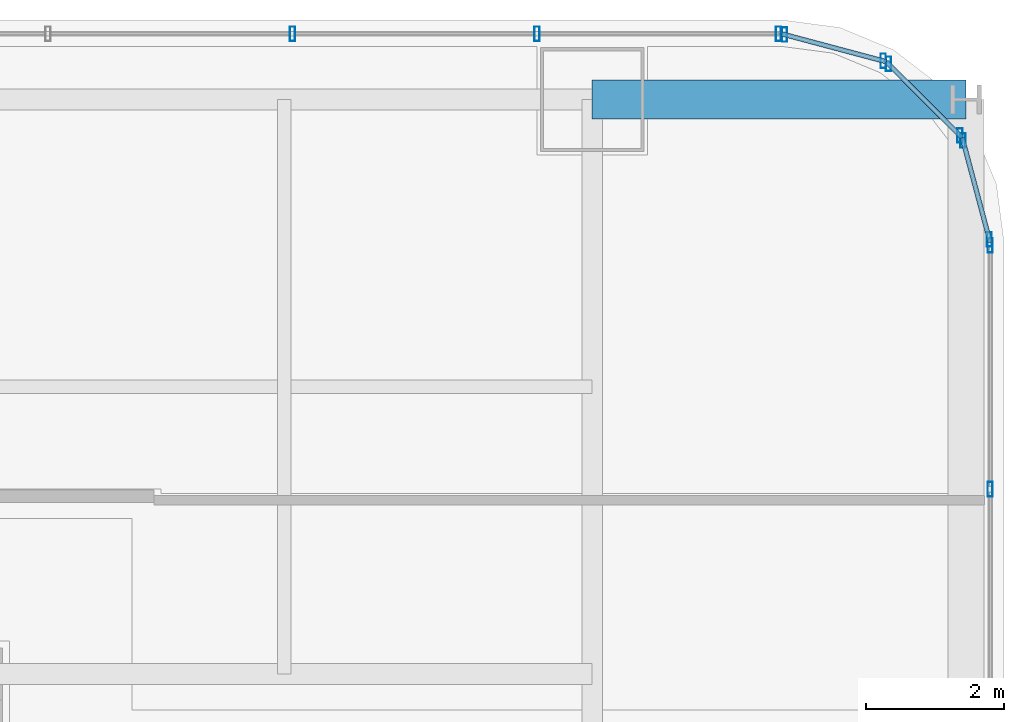
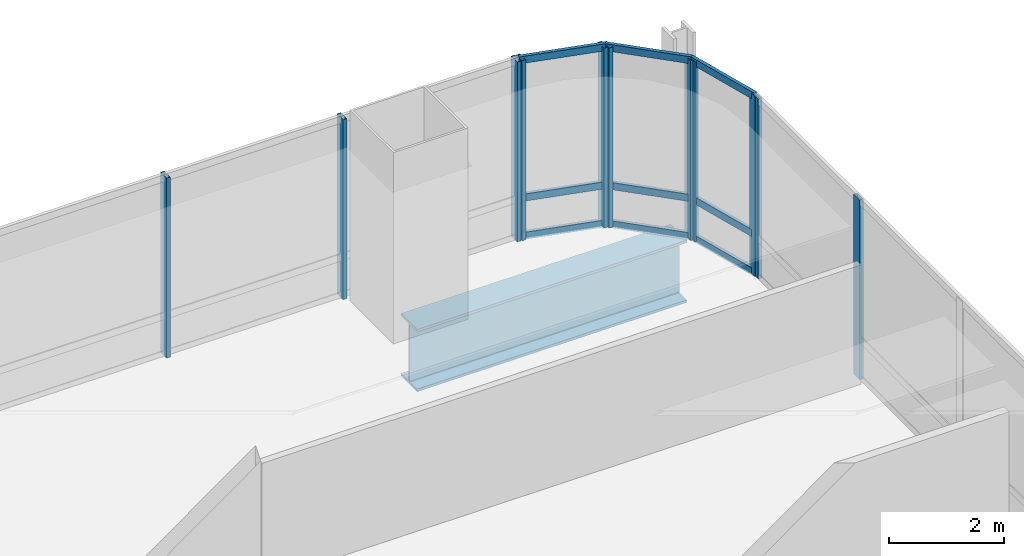
# One storey, part 24 of 35: 20 members, 1 beam, 5 elements without a shape of their own.
"""IFC4 building model written with IfcOpenShell, lengths in metres."""

import ifcopenshell
import ifcopenshell.guid

model = None  # the IFC model being written
_history = None  # IfcOwnerHistory: only IFC2X3 demands one
_inside = {}  # id of a spatial element -> (the spatial element, [elements in it])
_under = {}  # id of a project, library or spatial element -> (it, [spatial elements below it])
_declared = {}  # id of a project -> (the project, [libraries it declares])
_typed = {}  # id of a type object -> (the type object, [elements of that type])
_made_of = {}  # id of a material, layer set ... -> (it, [elements and type objects made of it])


def new_model(schema):
    """Start an empty IFC model of exactly this schema.

    Asked for "IFC4X3", IfcOpenShell would pick the latest addendum, in which some entities
    have other attributes; the version numbers below select the first issue.
    IFC2X3 requires an IfcOwnerHistory on every rooted entity: one is made here for all.
    """
    global model, _history
    if schema == "IFC4X3":
        model = ifcopenshell.file(schema_version=(4, 3, 0, 0))
    else:
        model = ifcopenshell.file(schema=schema)
    _inside.clear()
    _under.clear()
    _declared.clear()
    _typed.clear()
    _made_of.clear()
    _history = None
    if model.schema == "IFC2X3":
        org = make("IfcOrganization", Name="unknown")
        user = make(
            "IfcPersonAndOrganization",
            ThePerson=make("IfcPerson", FamilyName="unknown"),
            TheOrganization=org,
        )
        app = make(
            "IfcApplication",
            ApplicationDeveloper=org,
            Version="unknown",
            ApplicationFullName="unknown",
            ApplicationIdentifier="unknown",
        )
        _history = make(
            "IfcOwnerHistory",
            OwningUser=user,
            OwningApplication=app,
            ChangeAction="ADDED",
            CreationDate=0,
        )
    return model


def make(cls, **values):
    """One entity of the class cls with the attributes given. An attribute that is None is left unset."""
    return model.create_entity(
        cls, **{name: value for name, value in values.items() if value is not None}
    )


def rooted(cls, **values):
    """An entity with a GlobalId (a new one), such as an element, a storey or a relation."""
    return make(cls, GlobalId=ifcopenshell.guid.new(), OwnerHistory=_history, **values)


def si_unit(unit_type, name, prefix=None):
    """IfcSIUnit, for example si_unit("LENGTHUNIT", "METRE", prefix="MILLI")."""
    return make("IfcSIUnit", UnitType=unit_type, Prefix=prefix, Name=name)


def assignment(units):
    """IfcUnitAssignment: the units of a project."""
    return None if units is None else make("IfcUnitAssignment", Units=units)


def point(xyz):
    """IfcCartesianPoint."""
    return None if xyz is None else make("IfcCartesianPoint", Coordinates=xyz)


def direction(xyz):
    """IfcDirection."""
    return None if xyz is None else make("IfcDirection", DirectionRatios=xyz)


def frame(location, z_axis=None, x_axis=None):
    """IfcAxis2Placement3D, a coordinate frame: its origin and axes. An axis left out is left unset."""
    return make(
        "IfcAxis2Placement3D",
        Location=point(location),
        Axis=direction(z_axis),
        RefDirection=direction(x_axis),
    )


def frame_2d(location, x_axis=None):
    """IfcAxis2Placement2D, a coordinate frame in the plane: its origin and x axis."""
    return make(
        "IfcAxis2Placement2D", Location=point(location), RefDirection=direction(x_axis)
    )


def origin():
    """The frame at (0, 0, 0) with its axes left unset."""
    return frame((0.0, 0.0, 0.0))


def origin_2d():
    """The frame at (0, 0) in the plane with its x axis left unset."""
    return frame_2d((0.0, 0.0))


def place(relative_to, where):
    """IfcLocalPlacement: puts the frame where relative to a parent placement (None: the world)."""
    return make(
        "IfcLocalPlacement", PlacementRelTo=relative_to, RelativePlacement=where
    )


def context(
    kind, dimensions, precision=None, world=None, true_north=None, identifier=None
):
    """IfcGeometricRepresentationContext, for example the 3D "Model" context."""
    return make(
        "IfcGeometricRepresentationContext",
        ContextIdentifier=identifier,
        ContextType=kind,
        CoordinateSpaceDimension=dimensions,
        Precision=precision,
        WorldCoordinateSystem=world,
        TrueNorth=true_north,
    )


def subcontext(parent, identifier, kind, view, scale=None):
    """IfcGeometricRepresentationSubContext, for example "Body" below "Model"."""
    return make(
        "IfcGeometricRepresentationSubContext",
        ContextIdentifier=identifier,
        ContextType=kind,
        ParentContext=parent,
        TargetScale=scale,
        TargetView=view,
    )


def project(units=None, contexts=None):
    """IfcProject with its units and contexts."""
    return rooted(
        "IfcProject",
        Name="project",
        RepresentationContexts=contexts,
        UnitsInContext=assignment(units),
    )


def spatial(cls, under=None, at=None, **own):
    """A site, building, storey or space (cls), placed at a placement, below another one or the project."""
    s = rooted(cls, ObjectPlacement=at, **own)
    if under is not None:
        _under.setdefault(under.id(), (under, []))[1].append(s)
    return s


def profile(cls, at=None, kind="AREA", **sizes):
    """A parametric profile (cls). Its sizes go by their IFC names, for example OverallWidth=200.0."""
    return make(cls, ProfileType=kind, Position=at, **sizes)


def hollow_rectangle(**sizes):
    """IfcRectangleHollowProfileDef."""
    return profile("IfcRectangleHollowProfileDef", **sizes)


def i_section(**sizes):
    """IfcIShapeProfileDef."""
    return profile("IfcIShapeProfileDef", **sizes)


def extrude(swept, where, along, depth):
    """IfcExtrudedAreaSolid: the profile swept, set in the frame where, extruded along a direction by depth."""
    return make(
        "IfcExtrudedAreaSolid",
        SweptArea=swept,
        Position=where,
        ExtrudedDirection=direction(along),
        Depth=depth,
    )


def shape(context_of_items, identifier, shape_type, items):
    """IfcShapeRepresentation: the items that make up one representation, for example the "Body"."""
    return make(
        "IfcShapeRepresentation",
        ContextOfItems=context_of_items,
        RepresentationIdentifier=identifier,
        RepresentationType=shape_type,
        Items=items,
    )


def material(Name=None, Category=None):
    """IfcMaterial."""
    return make("IfcMaterial", Name=Name, Category=Category)


def material_profile(
    of_material, cross_section, Name=None, Category=None, Priority=None
):
    """IfcMaterialProfile: a cross section and its material."""
    return make(
        "IfcMaterialProfile",
        Name=Name,
        Material=of_material,
        Profile=cross_section,
        Priority=Priority,
        Category=Category,
    )


def profile_set(profiles, Name=None, composite=None):
    """IfcMaterialProfileSet."""
    return make(
        "IfcMaterialProfileSet",
        Name=Name,
        MaterialProfiles=profiles,
        CompositeProfile=composite,
    )


def made_of(thing, what):
    """Note that an element or type object is made of a material, layer set ...; save() writes the relation."""
    if what is not None:
        _made_of.setdefault(what.id(), (what, []))[1].append(thing)
    return thing


def type_object(cls, material=None, **own):
    """A type object (cls), such as IfcWallType, which elements share."""
    return made_of(rooted(cls, **own), material)


def element(
    cls,
    number,
    at=None,
    inside=None,
    cuts=None,
    type_object=None,
    material=None,
    context=None,
    identifier="Body",
    shape_type=None,
    held_by="IfcProductDefinitionShape",
    body=None,
    shapes=None,
    **own,
):
    """One element of the class cls, such as IfcWall. Its Tag is "e" and its number.

    at: its placement. inside: the storey or other place that contains it. cuts: it is an
    opening in that element (IfcRelVoidsElement). A single representation is given by context,
    identifier, shape_type and body (its items); several are given by shapes. held_by: the class
    of the entity that holds the representations. save() writes the other relations.
    """
    e = rooted(cls, Tag="e%d" % number, ObjectPlacement=at, **own)
    if body is not None:
        shapes = [shape(context, identifier, shape_type, body)]
    if shapes is not None:
        e.Representation = make(held_by, Representations=shapes)
    if inside is not None:
        _inside.setdefault(inside.id(), (inside, []))[1].append(e)
    if cuts is not None:
        rooted(
            "IfcRelVoidsElement", RelatingBuildingElement=cuts, RelatedOpeningElement=e
        )
    if type_object is not None:
        _typed.setdefault(type_object.id(), (type_object, []))[1].append(e)
    return made_of(e, material)


def aggregate(whole, parts):
    """IfcRelAggregates: a whole, such as a stair, and the parts it consists of."""
    return rooted("IfcRelAggregates", RelatingObject=whole, RelatedObjects=parts)


def save(model, path):
    """Write the relations noted so far, then the file.

    IfcRelAggregates (storeys below a building ...), IfcRelContainedInSpatialStructure (elements
    in a storey), IfcRelDefinesByType, IfcRelAssociatesMaterial and IfcRelDeclares: one each for
    every whole, place, type object, material and project.
    """
    for whole, parts in _under.values():
        aggregate(whole, parts)
    for where, things in _inside.values():
        rooted(
            "IfcRelContainedInSpatialStructure",
            RelatedElements=things,
            RelatingStructure=where,
        )
    for kind, things in _typed.values():
        rooted("IfcRelDefinesByType", RelatedObjects=things, RelatingType=kind)
    for what, things in _made_of.values():
        rooted("IfcRelAssociatesMaterial", RelatedObjects=things, RelatingMaterial=what)
    for by, libraries in _declared.values():
        rooted("IfcRelDeclares", RelatingContext=by, RelatedDefinitions=libraries)
    model.write(path)


model = new_model("IFC4")

# Units and contexts
model_context = context("Model", 3, precision=1e-05, world=origin(), true_north=direction((0.0, 1.0)))
body_context = subcontext(model_context, "Body", "Model", "MODEL_VIEW")
ifc_project = project(units=[si_unit("LENGTHUNIT", "METRE"), si_unit("AREAUNIT", "SQUARE_METRE"), si_unit("VOLUMEUNIT", "CUBIC_METRE"), si_unit("PLANEANGLEUNIT", "RADIAN"), si_unit("MASSUNIT", "GRAM", prefix="KILO")], contexts=[model_context])

# Site, building, storey
site_placement = place(None, origin())
site = spatial("IfcSite", under=ifc_project, at=site_placement, CompositionType="ELEMENT")
building_placement = place(site_placement, origin())
building = spatial("IfcBuilding", under=site, at=building_placement, Name="Punatoya Terracotta Tower", CompositionType="ELEMENT")
storey_placement = place(building_placement, frame((0.0, 0.0, 64.64990234375)))
storey = spatial("IfcBuildingStorey", under=building, at=storey_placement, Name="L14", CompositionType="ELEMENT", Elevation=64.64990234375)

# Beam
ifc_material_1 = material(Name="Steel S460", Category="steel")
ifc_material_profile_1 = material_profile(ifc_material_1, i_section(OverallWidth=0.56005859375, OverallDepth=1.320068359375, WebThickness=0.035888671875, FlangeThickness=0.054931640625, FilletRadius=0.01806640625, at=origin_2d()))
ifc_profile_set_1 = profile_set([ifc_material_profile_1], Name="Steel S460")
beam_type = type_object("IfcBeamType", Name="BM-TG-BLK", PredefinedType="BEAM", material=ifc_profile_set_1)
beam_placement = place(storey_placement, frame((19.10009765625, 17.5, -0.89990234375), z_axis=(1.0, 0.0, 0.0), x_axis=(0.0, 1.0, 0.0)))
element("IfcBeam", 1, at=beam_placement, inside=storey, type_object=beam_type, Name="BM-L14-CANT-E4", PredefinedType="BEAM", context=body_context, shape_type="SweptSolid", body=[
    extrude(i_section(OverallWidth=0.56005859375, OverallDepth=1.320068359375, WebThickness=0.035888671875, FlangeThickness=0.054931640625, FilletRadius=0.01806640625, at=origin_2d()), origin(), (0.0, 0.0, 1.0), 5.39990234375),
])

# Curtain wall, members
ifc_material_2 = material(Name="Aluminium 6063-T6 + Double Low-E Glass", Category="aluminium")
curtain_wall_type = type_object("IfcCurtainWallType", Name="CW-M1", PredefinedType="NOTDEFINED", material=ifc_material_2)
curtain_wall_1_placement = place(storey_placement, origin())
curtain_wall_1 = element("IfcCurtainWall", 2, at=curtain_wall_1_placement, inside=storey, type_object=curtain_wall_type, Name="L14 Curtain Wall CW-L14-E05-1", PredefinedType="NOTDEFINED")
ifc_material_3 = material(Name="Aluminium 6063-T6", Category="aluminium")
ifc_material_profile_2 = material_profile(ifc_material_3, hollow_rectangle(XDim=0.074951171875, YDim=0.2099609375, WallThickness=0.00439453125, at=origin_2d()))
ifc_profile_set_2 = profile_set([ifc_material_profile_2], Name="Aluminium 6063-T6")
member_type_1 = type_object("IfcMemberType", Name="CW-MUL-M1", PredefinedType="MULLION", material=ifc_profile_set_2)
member_1_placement = place(storey_placement, frame((24.85009765625, 11.869384765625, 0.0), z_axis=(0.0, 0.0, 1.0), x_axis=(1.0, 0.0, 0.0)))
member_1 = element("IfcMember", 3, at=member_1_placement, type_object=member_type_1, Name="CW-L14-E05-1 Mullion 09", PredefinedType="MULLION", context=body_context, shape_type="SweptSolid", body=[
    extrude(hollow_rectangle(XDim=0.074951171875, YDim=0.2099609375, WallThickness=0.00439453125, at=origin_2d()), origin(), (0.0, 0.0, 1.0), 3.81005859375),
])
member_2_placement = place(storey_placement, frame((24.85009765625, 15.391845703125, 0.0), z_axis=(0.0, 0.0, 1.0), x_axis=(1.0, 0.0, 0.0)))
member_2 = element("IfcMember", 4, at=member_2_placement, type_object=member_type_1, Name="CW-L14-E05-1 Mullion 10", PredefinedType="MULLION", context=body_context, shape_type="SweptSolid", body=[
    extrude(hollow_rectangle(XDim=0.074951171875, YDim=0.2099609375, WallThickness=0.00439453125, at=origin_2d()), origin(), (0.0, 0.0, 1.0), 3.81005859375),
])
aggregate(curtain_wall_1, [member_1, member_2])

curtain_wall_2_placement = place(storey_placement, origin())
curtain_wall_2 = element("IfcCurtainWall", 5, at=curtain_wall_2_placement, inside=storey, type_object=curtain_wall_type, Name="L14 Curtain Wall CW-L14-CRN06", PredefinedType="NOTDEFINED")
member_3_placement = place(storey_placement, frame((24.83837890625, 15.48046875, 0.0), z_axis=(0.0, 0.0, 1.0), x_axis=(1.0, 0.0, 0.0)))
member_3 = element("IfcMember", 6, at=member_3_placement, type_object=member_type_1, Name="CW-L14-CRN06 Mullion 00", PredefinedType="MULLION", context=body_context, shape_type="SweptSolid", body=[
    extrude(hollow_rectangle(XDim=0.074951171875, YDim=0.2099609375, WallThickness=0.00439453125, at=origin_2d()), origin(), (0.0, 0.0, 1.0), 3.81005859375),
])
member_4_placement = place(storey_placement, frame((24.458251953125, 16.905517578125, 0.0), z_axis=(0.0, 0.0, 1.0), x_axis=(1.0, 0.0, 0.0)))
member_4 = element("IfcMember", 7, at=member_4_placement, type_object=member_type_1, Name="CW-L14-CRN06 Mullion 01", PredefinedType="MULLION", context=body_context, shape_type="SweptSolid", body=[
    extrude(hollow_rectangle(XDim=0.074951171875, YDim=0.2099609375, WallThickness=0.00439453125, at=origin_2d()), origin(), (0.0, 0.0, 1.0), 3.81005859375),
])

curtain_wall_3_placement = place(storey_placement, origin())
curtain_wall_3 = element("IfcCurtainWall", 8, at=curtain_wall_3_placement, inside=storey, type_object=curtain_wall_type, Name="L14 Curtain Wall CW-L14-CRN07", PredefinedType="NOTDEFINED")
member_5_placement = place(storey_placement, frame((24.414794921875, 16.98095703125, 0.0), z_axis=(0.0, 0.0, 1.0), x_axis=(1.0, 0.0, 0.0)))
member_5 = element("IfcMember", 9, at=member_5_placement, type_object=member_type_1, Name="CW-L14-CRN07 Mullion 00", PredefinedType="MULLION", context=body_context, shape_type="SweptSolid", body=[
    extrude(hollow_rectangle(XDim=0.074951171875, YDim=0.2099609375, WallThickness=0.00439453125, at=origin_2d()), origin(), (0.0, 0.0, 1.0), 3.81005859375),
])
member_6_placement = place(storey_placement, frame((23.380859375, 18.014892578125, 0.0), z_axis=(0.0, 0.0, 1.0), x_axis=(1.0, 0.0, 0.0)))
member_6 = element("IfcMember", 10, at=member_6_placement, type_object=member_type_1, Name="CW-L14-CRN07 Mullion 01", PredefinedType="MULLION", context=body_context, shape_type="SweptSolid", body=[
    extrude(hollow_rectangle(XDim=0.074951171875, YDim=0.2099609375, WallThickness=0.00439453125, at=origin_2d()), origin(), (0.0, 0.0, 1.0), 3.81005859375),
])

curtain_wall_4_placement = place(storey_placement, origin())
curtain_wall_4 = element("IfcCurtainWall", 11, at=curtain_wall_4_placement, inside=storey, type_object=curtain_wall_type, Name="L14 Curtain Wall CW-L14-CRN08", PredefinedType="NOTDEFINED")
member_7_placement = place(storey_placement, frame((23.3056640625, 18.05810546875, 0.0), z_axis=(0.0, 0.0, 1.0), x_axis=(1.0, 0.0, 0.0)))
member_7 = element("IfcMember", 12, at=member_7_placement, type_object=member_type_1, Name="CW-L14-CRN08 Mullion 00", PredefinedType="MULLION", context=body_context, shape_type="SweptSolid", body=[
    extrude(hollow_rectangle(XDim=0.074951171875, YDim=0.2099609375, WallThickness=0.00439453125, at=origin_2d()), origin(), (0.0, 0.0, 1.0), 3.81005859375),
])
member_8_placement = place(storey_placement, frame((21.88037109375, 18.4384765625, 0.0), z_axis=(0.0, 0.0, 1.0), x_axis=(1.0, 0.0, 0.0)))
member_8 = element("IfcMember", 13, at=member_8_placement, type_object=member_type_1, Name="CW-L14-CRN08 Mullion 01", PredefinedType="MULLION", context=body_context, shape_type="SweptSolid", body=[
    extrude(hollow_rectangle(XDim=0.074951171875, YDim=0.2099609375, WallThickness=0.00439453125, at=origin_2d()), origin(), (0.0, 0.0, 1.0), 3.81005859375),
])

curtain_wall_5_placement = place(storey_placement, origin())
curtain_wall_5 = element("IfcCurtainWall", 14, at=curtain_wall_5_placement, inside=storey, type_object=curtain_wall_type, Name="L14 Curtain Wall CW-L14-N09-1", PredefinedType="NOTDEFINED")
member_9_placement = place(storey_placement, frame((21.7919921875, 18.449951171875, 0.0), z_axis=(0.0, 0.0, 1.0), x_axis=(1.0, 0.0, 0.0)))
member_9 = element("IfcMember", 15, at=member_9_placement, type_object=member_type_1, Name="CW-L14-N09-1 Mullion 00", PredefinedType="MULLION", context=body_context, shape_type="SweptSolid", body=[
    extrude(hollow_rectangle(XDim=0.074951171875, YDim=0.2099609375, WallThickness=0.00439453125, at=origin_2d()), origin(), (0.0, 0.0, 1.0), 3.81005859375),
])
member_10_placement = place(storey_placement, frame((18.302978515625, 18.449951171875, 0.0), z_axis=(0.0, 0.0, 1.0), x_axis=(1.0, 0.0, 0.0)))
member_10 = element("IfcMember", 16, at=member_10_placement, type_object=member_type_1, Name="CW-L14-N09-1 Mullion 01", PredefinedType="MULLION", context=body_context, shape_type="SweptSolid", body=[
    extrude(hollow_rectangle(XDim=0.074951171875, YDim=0.2099609375, WallThickness=0.00439453125, at=origin_2d()), origin(), (0.0, 0.0, 1.0), 3.81005859375),
])
member_11_placement = place(storey_placement, frame((14.768798828125, 18.449951171875, 0.0), z_axis=(0.0, 0.0, 1.0), x_axis=(1.0, 0.0, 0.0)))
member_11 = element("IfcMember", 17, at=member_11_placement, type_object=member_type_1, Name="CW-L14-N09-1 Mullion 02", PredefinedType="MULLION", context=body_context, shape_type="SweptSolid", body=[
    extrude(hollow_rectangle(XDim=0.074951171875, YDim=0.2099609375, WallThickness=0.00439453125, at=origin_2d()), origin(), (0.0, 0.0, 1.0), 3.81005859375),
])
aggregate(curtain_wall_5, [member_9, member_10, member_11])

# Member
ifc_material_profile_3 = material_profile(ifc_material_3, hollow_rectangle(XDim=0.068115234375, YDim=0.14990234375, WallThickness=0.00390625, at=origin_2d()))
ifc_profile_set_3 = profile_set([ifc_material_profile_3], Name="Aluminium 6063-T6")
member_type_2 = type_object("IfcMemberType", Name="CW-TRN-TYP", PredefinedType="USERDEFINED", material=ifc_profile_set_3)
member_12_placement = place(storey_placement, frame((24.85009765625, 15.43701171875, 0.0400390625), z_axis=(-0.257847112249, 0.966185730957, 0.0), x_axis=(-0.966185730957, -0.257847112249, 0.0)))
member_12 = element("IfcMember", 18, at=member_12_placement, type_object=member_type_2, Name="CW-L14-CRN06 Transom 1", ObjectType="TRANSOM", PredefinedType="USERDEFINED", context=body_context, shape_type="SweptSolid", body=[
    extrude(hollow_rectangle(XDim=0.068115234375, YDim=0.14990234375, WallThickness=0.00390625, at=origin_2d()), origin(), (0.0, 0.0, 1.0), 1.565185546875),
])

member_13_placement = place(storey_placement, frame((24.85009765625, 15.43701171875, 0.85009765625), z_axis=(-0.257847112249, 0.966185730957, 0.0), x_axis=(-0.966185730957, -0.257847112249, 0.0)))
member_13 = element("IfcMember", 19, at=member_13_placement, type_object=member_type_2, Name="CW-L14-CRN06 Transom 2", ObjectType="TRANSOM", PredefinedType="USERDEFINED", context=body_context, shape_type="SweptSolid", body=[
    extrude(hollow_rectangle(XDim=0.068115234375, YDim=0.14990234375, WallThickness=0.00390625, at=origin_2d()), origin(), (0.0, 0.0, 1.0), 1.565185546875),
])

member_14_placement = place(storey_placement, frame((24.85009765625, 15.43701171875, 3.77001953125), z_axis=(-0.257847112249, 0.966185730957, 0.0), x_axis=(-0.966185730957, -0.257847112249, 0.0)))
member_14 = element("IfcMember", 20, at=member_14_placement, type_object=member_type_2, Name="CW-L14-CRN06 Transom 3", ObjectType="TRANSOM", PredefinedType="USERDEFINED", context=body_context, shape_type="SweptSolid", body=[
    extrude(hollow_rectangle(XDim=0.068115234375, YDim=0.14990234375, WallThickness=0.00390625, at=origin_2d()), origin(), (0.0, 0.0, 1.0), 1.565185546875),
])

aggregate(curtain_wall_2, [member_3, member_4, member_12, member_13, member_14])

member_15_placement = place(storey_placement, frame((24.446533203125, 16.94921875, 0.0400390625), z_axis=(-0.707106781187, 0.707106781187, 0.0), x_axis=(-0.707106781187, -0.707106781187, 0.0)))
member_15 = element("IfcMember", 21, at=member_15_placement, type_object=member_type_2, Name="CW-L14-CRN07 Transom 1", ObjectType="TRANSOM", PredefinedType="USERDEFINED", context=body_context, shape_type="SweptSolid", body=[
    extrude(hollow_rectangle(XDim=0.068115234375, YDim=0.14990234375, WallThickness=0.00390625, at=origin_2d()), origin(), (0.0, 0.0, 1.0), 1.552001953125),
])

member_16_placement = place(storey_placement, frame((24.446533203125, 16.94921875, 0.85009765625), z_axis=(-0.707106781187, 0.707106781187, 0.0), x_axis=(-0.707106781187, -0.707106781187, 0.0)))
member_16 = element("IfcMember", 22, at=member_16_placement, type_object=member_type_2, Name="CW-L14-CRN07 Transom 2", ObjectType="TRANSOM", PredefinedType="USERDEFINED", context=body_context, shape_type="SweptSolid", body=[
    extrude(hollow_rectangle(XDim=0.068115234375, YDim=0.14990234375, WallThickness=0.00390625, at=origin_2d()), origin(), (0.0, 0.0, 1.0), 1.552001953125),
])

member_17_placement = place(storey_placement, frame((24.446533203125, 16.94921875, 3.77001953125), z_axis=(-0.707106781187, 0.707106781187, 0.0), x_axis=(-0.707106781187, -0.707106781187, 0.0)))
member_17 = element("IfcMember", 23, at=member_17_placement, type_object=member_type_2, Name="CW-L14-CRN07 Transom 3", ObjectType="TRANSOM", PredefinedType="USERDEFINED", context=body_context, shape_type="SweptSolid", body=[
    extrude(hollow_rectangle(XDim=0.068115234375, YDim=0.14990234375, WallThickness=0.00390625, at=origin_2d()), origin(), (0.0, 0.0, 1.0), 1.552001953125),
])

aggregate(curtain_wall_3, [member_5, member_6, member_15, member_16, member_17])

member_18_placement = place(storey_placement, frame((23.34912109375, 18.046630859375, 0.0400390625), z_axis=(-0.966224582397, 0.257701486942, 0.0), x_axis=(-0.257701486942, -0.966224582397, 0.0)))
member_18 = element("IfcMember", 24, at=member_18_placement, type_object=member_type_2, Name="CW-L14-CRN08 Transom 1", ObjectType="TRANSOM", PredefinedType="USERDEFINED", context=body_context, shape_type="SweptSolid", body=[
    extrude(hollow_rectangle(XDim=0.068115234375, YDim=0.14990234375, WallThickness=0.00390625, at=origin_2d()), origin(), (0.0, 0.0, 1.0), 1.565185546875),
])

member_19_placement = place(storey_placement, frame((23.34912109375, 18.046630859375, 0.85009765625), z_axis=(-0.966224582397, 0.257701486942, 0.0), x_axis=(-0.257701486942, -0.966224582397, 0.0)))
member_19 = element("IfcMember", 25, at=member_19_placement, type_object=member_type_2, Name="CW-L14-CRN08 Transom 2", ObjectType="TRANSOM", PredefinedType="USERDEFINED", context=body_context, shape_type="SweptSolid", body=[
    extrude(hollow_rectangle(XDim=0.068115234375, YDim=0.14990234375, WallThickness=0.00390625, at=origin_2d()), origin(), (0.0, 0.0, 1.0), 1.565185546875),
])

member_20_placement = place(storey_placement, frame((23.34912109375, 18.046630859375, 3.77001953125), z_axis=(-0.966224582397, 0.257701486942, 0.0), x_axis=(-0.257701486942, -0.966224582397, 0.0)))
member_20 = element("IfcMember", 26, at=member_20_placement, type_object=member_type_2, Name="CW-L14-CRN08 Transom 3", ObjectType="TRANSOM", PredefinedType="USERDEFINED", context=body_context, shape_type="SweptSolid", body=[
    extrude(hollow_rectangle(XDim=0.068115234375, YDim=0.14990234375, WallThickness=0.00390625, at=origin_2d()), origin(), (0.0, 0.0, 1.0), 1.565185546875),
])

aggregate(curtain_wall_4, [member_7, member_8, member_18, member_19, member_20])

save(model, "model.ifc")
